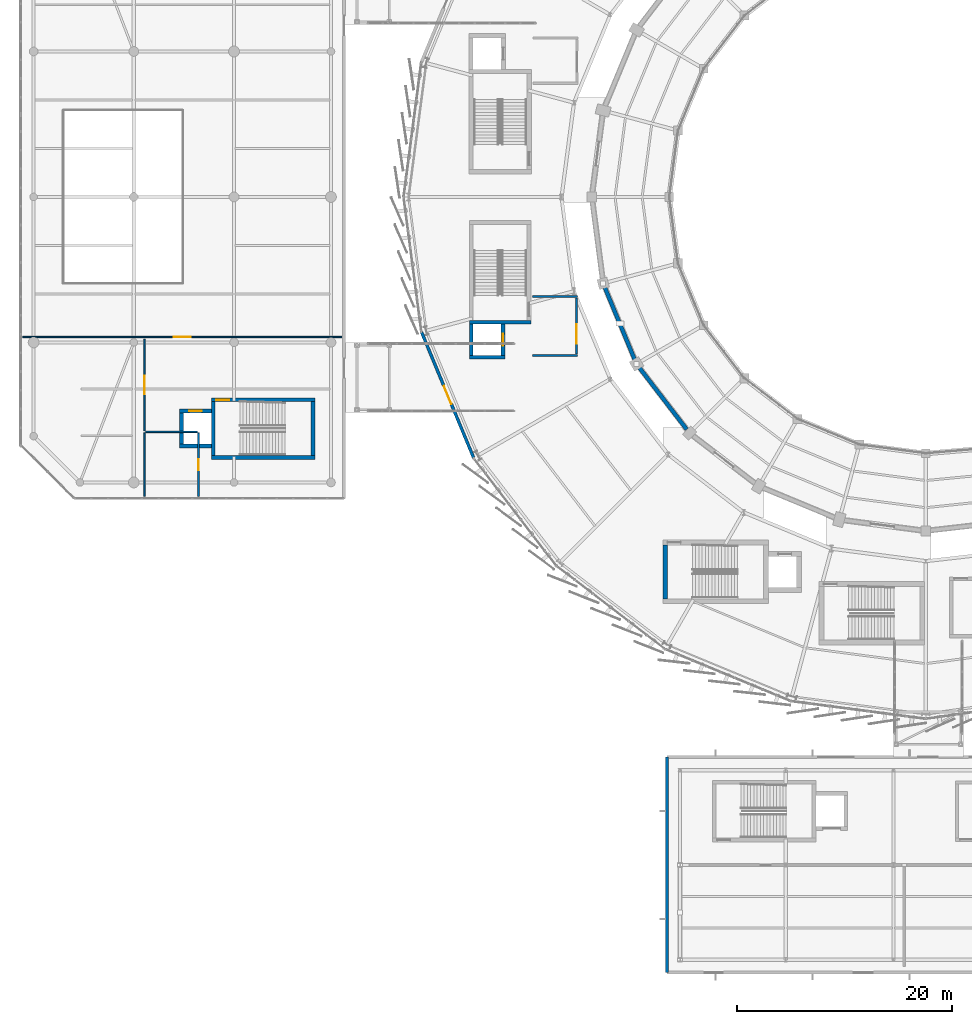
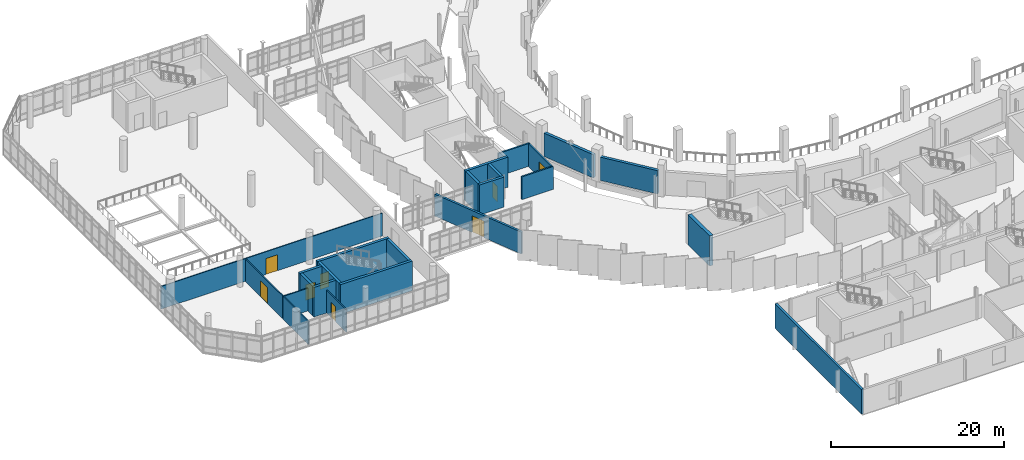
# One storey, part 101 of 125: 24 walls, 8 doors, 8 openings.
"""IFC4 building model written with IfcOpenShell, lengths in metres."""

from ifc_helpers import new_model, si_unit, direction, frame, frame_2d, origin, place, context, subcontext, project, spatial, rectangle, extrude, material, layer, layer_set, type_object, element, fill, save


model = new_model("IFC4")

# Units and contexts
model_context = context("Model", 3, precision=1e-05, world=origin(), true_north=direction((0.0, 1.0)))
body_context = subcontext(model_context, "Body", "Model", "MODEL_VIEW")
ifc_project = project(units=[si_unit("LENGTHUNIT", "METRE"), si_unit("AREAUNIT", "SQUARE_METRE"), si_unit("VOLUMEUNIT", "CUBIC_METRE"), si_unit("PLANEANGLEUNIT", "RADIAN"), si_unit("MASSUNIT", "GRAM", prefix="KILO")], contexts=[model_context])

# Site, building, storey
site_placement = place(None, origin())
site = spatial("IfcSite", under=ifc_project, at=site_placement, CompositionType="ELEMENT")
building_placement = place(site_placement, origin())
building = spatial("IfcBuilding", under=site, at=building_placement, Name="Sohan Crest Arena", CompositionType="ELEMENT")
storey_placement = place(building_placement, frame((0.0, 0.0, 9.0)))
storey = spatial("IfcBuildingStorey", under=building, at=storey_placement, Name="L02", CompositionType="ELEMENT", Elevation=9.0)

# Wall, opening, door
ifc_material_1 = material(Name="Clinker brick and ceramic mosaic envelope wall", Category="masonry")
ifc_layer_1 = layer(ifc_material_1, 0.280029296875, Name="Clinker brick and ceramic mosaic envelope wall")
ifc_layer_set_1 = layer_set([ifc_layer_1], Name="Clinker brick and ceramic mosaic envelope wall")
wall_type_1 = type_object("IfcWallType", Name="WAL-EW02", PredefinedType="SOLIDWALL", material=ifc_layer_set_1)
wall_1_placement = place(storey_placement, frame((51.200927734375, 65.4599609375, 0.0), z_axis=(0.0, 0.0, 1.0), x_axis=(0.382681957383, -0.923880143468, 0.0)))
wall_1 = element("IfcWall", 1, at=wall_1_placement, inside=storey, type_object=wall_type_1, Name="External wall EW-093", PredefinedType="SOLIDWALL", context=body_context, shape_type="SweptSolid", body=[
    extrude(rectangle(XDim=12.647705078125, YDim=0.280029296875, at=frame_2d((6.32373046875, 0.0))), origin(), (0.0, 0.0, 1.0), 3.10009765625),
])
opening_1_placement = place(wall_1_placement, frame((5.424072265625, 0.0, 0.0)))
opening_1 = element("IfcOpeningElement", 2, at=opening_1_placement, cuts=wall_1, Name="Opening BD-L02-08", PredefinedType="OPENING", context=body_context, shape_type="SweptSolid", body=[
    extrude(rectangle(XDim=1.800048828125, YDim=2.35009765625, at=frame_2d((0.89990234375, 1.175048828125))), frame((0.0, 0.14990234375, 0.0), z_axis=(0.0, -1.0, 0.0), x_axis=(1.0, 0.0, 0.0)), (0.0, 0.0, 1.0), 0.300048828125),
])
ifc_material_2 = material(Name="Glazed aluminium terrace access door", Category="aluminium")
door_type_1 = type_object("IfcDoorType", Name="DR-ED01", OperationType="DOUBLE_DOOR_SINGLE_SWING", PredefinedType="DOOR", material=ifc_material_2)
door_1_placement = place(opening_1_placement, frame((1.800048828125, 0.0, 0.0), z_axis=(0.0, 0.0, 1.0), x_axis=(-1.0, 0.0, 0.0)))
door_1 = element("IfcDoor", 3, at=door_1_placement, inside=storey, type_object=door_type_1, Name="Covered bridge passage door BD-L02-08", OperationType="DOUBLE_DOOR_SINGLE_SWING", OverallHeight=2.35009765625, OverallWidth=1.800048828125, PredefinedType="DOOR", context=body_context, shape_type="SweptSolid", body=[
    extrude(rectangle(XDim=1.800048828125, YDim=2.35009765625, at=frame_2d((0.89990234375, 1.175048828125))), frame((0.0, 0.02490234375, 0.0), z_axis=(0.0, -1.0, 0.0), x_axis=(1.0, 0.0, 0.0)), (0.0, 0.0, 1.0), 0.050048828125),
])
fill(opening_1, door_1)

# Walls
wall_2_placement = place(storey_placement, frame((74.0, 26.0, 0.0), z_axis=(0.0, 0.0, 1.0), x_axis=(0.0, -1.0, 0.0)))
element("IfcWall", 4, at=wall_2_placement, inside=storey, type_object=wall_type_1, Name="External wall EW-137", PredefinedType="SOLIDWALL", context=body_context, shape_type="SweptSolid", body=[
    extrude(rectangle(XDim=20.0, YDim=0.280029296875, at=frame_2d((10.0, 0.0))), origin(), (0.0, 0.0, 1.0), 3.5),
])
ifc_material_3 = material(Name="Acoustic insulated bowl drum enclosure wall", Category="masonry")
ifc_layer_2 = layer(ifc_material_3, 0.3701171875, Name="Acoustic insulated bowl drum enclosure wall")
ifc_layer_set_2 = layer_set([ifc_layer_2], Name="Acoustic insulated bowl drum enclosure wall")
wall_type_2 = type_object("IfcWallType", Name="WAL-EW05", PredefinedType="SOLIDWALL", material=ifc_layer_set_2)
wall_3_placement = place(storey_placement, frame((68.22412109375, 69.570068359375, 0.0), z_axis=(0.0, 0.0, 1.0), x_axis=(0.382807189089, -0.923828261086, 0.0)))
element("IfcWall", 5, at=wall_3_placement, inside=storey, type_object=wall_type_2, Name="Acoustic bowl drum wall BW-L02-08", PredefinedType="SOLIDWALL", context=body_context, shape_type="SweptSolid", body=[
    extrude(rectangle(XDim=7.21240234375, YDim=0.3701171875, at=frame_2d((3.606201171875, 0.0))), origin(), (0.0, 0.0, 1.0), 3.300048828125),
])
wall_4_placement = place(storey_placement, frame((71.4208984375, 62.15087890625, 0.0), z_axis=(0.0, 0.0, 1.0), x_axis=(0.608807390719, -0.793318070515, 0.0)))
element("IfcWall", 6, at=wall_4_placement, inside=storey, type_object=wall_type_2, Name="Acoustic bowl drum wall BW-L02-09", PredefinedType="SOLIDWALL", context=body_context, shape_type="SweptSolid", body=[
    extrude(rectangle(XDim=7.212646484375, YDim=0.3701171875, at=frame_2d((3.6064453125, 0.0))), origin(), (0.0, 0.0, 1.0), 3.300048828125),
])
ifc_material_4 = material(Name="Fire-rated masonry blockwork compartment wall", Category="masonry")
ifc_layer_3 = layer(ifc_material_4, 0.199951171875, Name="Fire-rated masonry blockwork compartment wall")
ifc_layer_set_3 = layer_set([ifc_layer_3], Name="Fire-rated masonry blockwork compartment wall")
wall_type_3 = type_object("IfcWallType", Name="WAL-FW01", PredefinedType="PARTITIONING", material=ifc_layer_set_3)
for number, where, z_axis, x_axis, name in (
    (7, (61.489990234375, 63.300048828125, 0.0), (0.0, 0.0, 1.0), (1.0, 0.0, 0.0), "Interior partition wall PW-0038"),
    (8, (61.489990234375, 68.75, 0.0), (0.0, 0.0, 1.0), (1.0, 0.0, 0.0), "Interior partition wall PW-0039"),
):
    element("IfcWall", number, at=place(storey_placement, frame(where, z_axis=z_axis, x_axis=x_axis)), inside=storey, type_object=wall_type_3, Name=name, PredefinedType="PARTITIONING", context=body_context, shape_type="SweptSolid", body=[
        extrude(rectangle(XDim=4.179931640625, YDim=0.199951171875, at=frame_2d((2.08984375, 0.0))), origin(), (0.0, 0.0, 1.0), 3.219970703125),
    ])

# Wall, opening, door
wall_5_placement = place(storey_placement, frame((65.570068359375, 63.419921875, 0.0), z_axis=(0.0, 0.0, 1.0), x_axis=(0.0, 1.0, 0.0)))
wall_5 = element("IfcWall", 9, at=wall_5_placement, inside=storey, type_object=wall_type_3, Name="Interior partition wall PW-0040", PredefinedType="PARTITIONING", context=body_context, shape_type="SweptSolid", body=[
    extrude(rectangle(XDim=5.2099609375, YDim=0.199951171875, at=frame_2d((2.60498046875, 0.0))), origin(), (0.0, 0.0, 1.0), 3.219970703125),
])
opening_2_placement = place(wall_5_placement, frame((0.949951171875, 0.0, 0.0)))
opening_2 = element("IfcOpeningElement", 10, at=opening_2_placement, cuts=wall_5, Name="Opening FFL-0012", PredefinedType="OPENING", context=body_context, shape_type="SweptSolid", body=[
    extrude(rectangle(XDim=1.800048828125, YDim=2.199951171875, at=frame_2d((0.89990234375, 1.10009765625))), frame((0.0, 0.10986328125, 0.0), z_axis=(0.0, -1.0, 0.0), x_axis=(1.0, 0.0, 0.0)), (0.0, 0.0, 1.0), 0.219970703125),
])
ifc_material_5 = material(Name="Fire-rated timber-faced lobby double door", Category="wood")
door_type_2 = type_object("IfcDoorType", Name="DR-FD03", OperationType="DOUBLE_DOOR_SINGLE_SWING", PredefinedType="DOOR", material=ifc_material_5)
door_2_placement = place(opening_2_placement, origin())
door_2 = element("IfcDoor", 11, at=door_2_placement, inside=storey, type_object=door_type_2, Name="Firefighting lift lobby door FL01 FFL-0012", OperationType="DOUBLE_DOOR_SINGLE_SWING", OverallHeight=2.199951171875, OverallWidth=1.800048828125, PredefinedType="DOOR", context=body_context, shape_type="SweptSolid", body=[
    extrude(rectangle(XDim=1.800048828125, YDim=2.199951171875, at=frame_2d((0.89990234375, 1.10009765625))), frame((0.0, 0.02490234375, 0.0), z_axis=(0.0, -1.0, 0.0), x_axis=(1.0, 0.0, 0.0)), (0.0, 0.0, 1.0), 0.050048828125),
])
fill(opening_2, door_2)

ifc_material_6 = material(Name="Acoustic gypsum stud room partition", Category="masonry")
ifc_layer_4 = layer(ifc_material_6, 0.1201171875, Name="Acoustic gypsum stud room partition")
ifc_layer_set_4 = layer_set([ifc_layer_4], Name="Acoustic gypsum stud room partition")
wall_type_4 = type_object("IfcWallType", Name="WAL-PW01", PredefinedType="PARTITIONING", material=ifc_layer_set_4)
wall_6_placement = place(storey_placement, frame((14.199951171875, 65.0, 0.0), z_axis=(0.0, 0.0, 1.0), x_axis=(1.0, 0.0, 0.0)))
wall_6 = element("IfcWall", 12, at=wall_6_placement, inside=storey, type_object=wall_type_4, Name="Interior partition wall PW-0890", PredefinedType="PARTITIONING", context=body_context, shape_type="SweptSolid", body=[
    extrude(rectangle(XDim=29.60009765625, YDim=0.1201171875, at=frame_2d((14.800048828125, 0.0))), origin(), (0.0, 0.0, 1.0), 3.219970703125),
])
opening_3_placement = place(wall_6_placement, frame((14.02001953125, 0.0, 0.0)))
opening_3 = element("IfcOpeningElement", 13, at=opening_3_placement, cuts=wall_6, Name="Opening FY-0262", PredefinedType="OPENING", context=body_context, shape_type="SweptSolid", body=[
    extrude(rectangle(XDim=1.56005859375, YDim=2.260009765625, at=frame_2d((0.780029296875, 1.1298828125))), frame((0.0, 0.070068359375, 0.0), z_axis=(0.0, -1.0, 0.0), x_axis=(1.0, 0.0, 0.0)), (0.0, 0.0, 1.0), 0.14013671875),
])
ifc_material_7 = material(Name="Solid oak acoustic room door", Category="wood")
door_type_3 = type_object("IfcDoorType", Name="DR-ID15", OperationType="DOUBLE_DOOR_SINGLE_SWING", PredefinedType="DOOR", material=ifc_material_7)
door_3_placement = place(opening_3_placement, origin())
door_3 = element("IfcDoor", 14, at=door_3_placement, inside=storey, type_object=door_type_3, Name="Cultural Exhibition Room lobby door FY-0262", OperationType="DOUBLE_DOOR_SINGLE_SWING", OverallHeight=2.260009765625, OverallWidth=1.56005859375, PredefinedType="DOOR", context=body_context, shape_type="SweptSolid", body=[
    extrude(rectangle(XDim=1.56005859375, YDim=2.260009765625, at=frame_2d((0.780029296875, 1.1298828125))), frame((0.0, 0.02490234375, 0.0), z_axis=(0.0, -1.0, 0.0), x_axis=(1.0, 0.0, 0.0)), (0.0, 0.0, 1.0), 0.050048828125),
])
fill(opening_3, door_3)

ifc_material_8 = material(Name="Wet-area moisture-resistant masonry partition", Category="masonry")
ifc_layer_5 = layer(ifc_material_8, 0.14990234375, Name="Wet-area moisture-resistant masonry partition")
ifc_layer_set_5 = layer_set([ifc_layer_5], Name="Wet-area moisture-resistant masonry partition")
wall_type_5 = type_object("IfcWallType", Name="WAL-PW03", PredefinedType="PARTITIONING", material=ifc_layer_set_5)
wall_7_placement = place(storey_placement, frame((25.5, 56.300048828125, 0.0), z_axis=(0.0, 0.0, 1.0), x_axis=(0.0, 1.0, 0.0)))
wall_7 = element("IfcWall", 15, at=wall_7_placement, inside=storey, type_object=wall_type_5, Name="Interior partition wall PW-0891", PredefinedType="PARTITIONING", context=body_context, shape_type="SweptSolid", body=[
    extrude(rectangle(XDim=8.5, YDim=0.14990234375, at=frame_2d((4.25, 0.0))), origin(), (0.0, 0.0, 1.0), 3.219970703125),
])
opening_4_placement = place(wall_7_placement, frame((3.409912109375, 0.0, 0.0)))
opening_4 = element("IfcOpeningElement", 16, at=opening_4_placement, cuts=wall_7, Name="Opening FY-0263", PredefinedType="OPENING", context=body_context, shape_type="SweptSolid", body=[
    extrude(rectangle(XDim=1.679931640625, YDim=2.280029296875, at=frame_2d((0.83984375, 1.14013671875))), frame((0.0, 0.0849609375, 0.0), z_axis=(0.0, -1.0, 0.0), x_axis=(1.0, 0.0, 0.0)), (0.0, 0.0, 1.0), 0.169921875),
])
door_type_4 = type_object("IfcDoorType", Name="DR-ID16", OperationType="DOUBLE_DOOR_SINGLE_SWING", PredefinedType="DOOR", material=ifc_material_7)
door_4_placement = place(opening_4_placement, origin())
door_4 = element("IfcDoor", 17, at=door_4_placement, inside=storey, type_object=door_type_4, Name="Cultural Exhibition Room door FY-0263", OperationType="DOUBLE_DOOR_SINGLE_SWING", OverallHeight=2.280029296875, OverallWidth=1.679931640625, PredefinedType="DOOR", context=body_context, shape_type="SweptSolid", body=[
    extrude(rectangle(XDim=1.679931640625, YDim=2.280029296875, at=frame_2d((0.83984375, 1.14013671875))), frame((0.0, 0.02490234375, 0.0), z_axis=(0.0, -1.0, 0.0), x_axis=(1.0, 0.0, 0.0)), (0.0, 0.0, 1.0), 0.050048828125),
])
fill(opening_4, door_4)

# Wall
wall_8_placement = place(storey_placement, frame((25.5, 50.199951171875, 0.0), z_axis=(0.0, 0.0, 1.0), x_axis=(0.0, 1.0, 0.0)))
element("IfcWall", 18, at=wall_8_placement, inside=storey, type_object=wall_type_5, Name="Interior partition wall PW-0892", PredefinedType="PARTITIONING", context=body_context, shape_type="SweptSolid", body=[
    extrude(rectangle(XDim=5.900146484375, YDim=0.14990234375, at=frame_2d((2.9501953125, 0.0))), origin(), (0.0, 0.0, 1.0), 3.219970703125),
])

# Wall, opening, door
wall_9_placement = place(storey_placement, frame((30.5, 50.199951171875, 0.0), z_axis=(0.0, 0.0, 1.0), x_axis=(0.0, 1.0, 0.0)))
wall_9 = element("IfcWall", 19, at=wall_9_placement, inside=storey, type_object=wall_type_5, Name="Interior partition wall PW-0893", PredefinedType="PARTITIONING", context=body_context, shape_type="SweptSolid", body=[
    extrude(rectangle(XDim=5.900146484375, YDim=0.14990234375, at=frame_2d((2.9501953125, 0.0))), origin(), (0.0, 0.0, 1.0), 3.219970703125),
])
opening_5_placement = place(wall_9_placement, frame((2.43994140625, 0.0, 0.0)))
opening_5 = element("IfcOpeningElement", 20, at=opening_5_placement, cuts=wall_9, Name="Opening WC-0264", PredefinedType="OPENING", context=body_context, shape_type="SweptSolid", body=[
    extrude(rectangle(XDim=1.02001953125, YDim=2.14990234375, at=frame_2d((0.510009765625, 1.074951171875))), frame((0.0, 0.0849609375, 0.0), z_axis=(0.0, -1.0, 0.0), x_axis=(1.0, 0.0, 0.0)), (0.0, 0.0, 1.0), 0.169921875),
])
ifc_material_9 = material(Name="Accessible toilet and dressing room door", Category="wood")
door_type_5 = type_object("IfcDoorType", Name="DR-ID03", OperationType="NOTDEFINED", PredefinedType="DOOR", material=ifc_material_9)
door_5_placement = place(opening_5_placement, origin())
door_5 = element("IfcDoor", 21, at=door_5_placement, inside=storey, type_object=door_type_5, Name="Foyer Accessible WC L02 door WC-0264", OperationType="SINGLE_SWING_LEFT", OverallHeight=2.14990234375, OverallWidth=1.02001953125, PredefinedType="DOOR", context=body_context, shape_type="SweptSolid", body=[
    extrude(rectangle(XDim=1.02001953125, YDim=2.14990234375, at=frame_2d((0.510009765625, 1.074951171875))), frame((0.0, 0.02490234375, 0.0), z_axis=(0.0, -1.0, 0.0), x_axis=(1.0, 0.0, 0.0)), (0.0, 0.0, 1.0), 0.050048828125),
])
fill(opening_5, door_5)

# Walls
wall_10_placement = place(storey_placement, frame((25.60009765625, 56.199951171875, 0.0), z_axis=(0.0, 0.0, 1.0), x_axis=(1.0, 0.0, 0.0)))
element("IfcWall", 22, at=wall_10_placement, inside=storey, type_object=wall_type_5, Name="Interior partition wall PW-0894", PredefinedType="PARTITIONING", context=body_context, shape_type="SweptSolid", body=[
    extrude(rectangle(XDim=4.7998046875, YDim=0.14990234375, at=frame_2d((2.39990234375, 0.0))), origin(), (0.0, 0.0, 1.0), 3.219970703125),
])
ifc_material_10 = material(Name="Concrete C40/50", Category="concrete")
ifc_layer_6 = layer(ifc_material_10, 0.35009765625, Name="Concrete C40/50")
ifc_layer_set_6 = layer_set([ifc_layer_6], Name="Concrete C40/50")
wall_type_6 = type_object("IfcWallType", Name="WAL-SW02", PredefinedType="SHEAR", material=ifc_layer_set_6)
wall_11_placement = place(storey_placement, frame((55.64990234375, 66.375, 0.0), z_axis=(0.0, 0.0, 1.0), x_axis=(1.0, 0.0, 0.0)))
element("IfcWall", 23, at=wall_11_placement, inside=storey, type_object=wall_type_6, Name="Core shear wall SW-0031", PredefinedType="SHEAR", context=body_context, shape_type="SweptSolid", body=[
    extrude(rectangle(XDim=5.7001953125, YDim=0.35009765625, at=frame_2d((2.85009765625, 0.0))), origin(), (0.0, 0.0, 1.0), 4.25),
])
wall_12_placement = place(storey_placement, frame((55.824951171875, 63.300048828125, 0.0), z_axis=(0.0, 0.0, 1.0), x_axis=(0.0, 1.0, 0.0)))
element("IfcWall", 24, at=wall_12_placement, inside=storey, type_object=wall_type_6, Name="Core shear wall SW-0035", PredefinedType="SHEAR", context=body_context, shape_type="SweptSolid", body=[
    extrude(rectangle(XDim=2.89990234375, YDim=0.35009765625, at=frame_2d((1.449951171875, 0.0))), origin(), (0.0, 0.0, 1.0), 4.25),
])

# Wall, opening, door
wall_13_placement = place(storey_placement, frame((58.77490234375, 63.300048828125, 0.0), z_axis=(0.0, 0.0, 1.0), x_axis=(0.0, 1.0, 0.0)))
wall_13 = element("IfcWall", 25, at=wall_13_placement, inside=storey, type_object=wall_type_6, Name="Core shear wall SW-0036", PredefinedType="SHEAR", context=body_context, shape_type="SweptSolid", body=[
    extrude(rectangle(XDim=2.89990234375, YDim=0.35009765625, at=frame_2d((1.449951171875, 0.0))), origin(), (0.0, 0.0, 1.0), 4.25),
])
opening_6_placement = place(wall_13_placement, frame((0.89990234375, 0.0, 0.0)))
opening_6 = element("IfcOpeningElement", 26, at=opening_6_placement, cuts=wall_13, Name="Opening LD-FL01-L02", PredefinedType="OPENING", context=body_context, shape_type="SweptSolid", body=[
    extrude(rectangle(XDim=1.10009765625, YDim=2.199951171875, at=frame_2d((0.550048828125, 1.10009765625))), frame((0.0, 0.18505859375, 0.0), z_axis=(0.0, -1.0, 0.0), x_axis=(1.0, 0.0, 0.0)), (0.0, 0.0, 1.0), 0.3701171875),
])
ifc_material_11 = material(Name="Stainless steel firefighting lift landing door", Category="steel")
door_type_6 = type_object("IfcDoorType", Name="DR-LD01", OperationType="SLIDING_TO_LEFT", PredefinedType="DOOR", material=ifc_material_11)
door_6_placement = place(opening_6_placement, origin())
door_6 = element("IfcDoor", 27, at=door_6_placement, inside=storey, type_object=door_type_6, Name="Sliding lift landing door LD-FL01-L02", OperationType="SLIDING_TO_LEFT", OverallHeight=2.199951171875, OverallWidth=1.10009765625, PredefinedType="DOOR", context=body_context, shape_type="SweptSolid", body=[
    extrude(rectangle(XDim=1.10009765625, YDim=2.199951171875, at=frame_2d((0.550048828125, 1.10009765625))), frame((0.0, 0.02490234375, 0.0), z_axis=(0.0, -1.0, 0.0), x_axis=(1.0, 0.0, 0.0)), (0.0, 0.0, 1.0), 0.050048828125),
])
fill(opening_6, door_6)

# Walls
wall_14_placement = place(storey_placement, frame((55.64990234375, 63.125, 0.0), z_axis=(0.0, 0.0, 1.0), x_axis=(1.0, 0.0, 0.0)))
element("IfcWall", 28, at=wall_14_placement, inside=storey, type_object=wall_type_6, Name="Core shear wall SW-0037", PredefinedType="SHEAR", context=body_context, shape_type="SweptSolid", body=[
    extrude(rectangle(XDim=3.300048828125, YDim=0.35009765625, at=frame_2d((1.64990234375, 0.0))), origin(), (0.0, 0.0, 1.0), 4.25),
])
for number, where, z_axis, x_axis, name in (
    (29, (31.875, 54.0, 0.0), (0.0, 0.0, 1.0), (0.0, 1.0, 0.0), "Core shear wall SW-0545"),
    (30, (41.125, 54.0, 0.0), (0.0, 0.0, 1.0), (0.0, 1.0, 0.0), "Core shear wall SW-0546"),
):
    element("IfcWall", number, at=place(storey_placement, frame(where, z_axis=z_axis, x_axis=x_axis)), inside=storey, type_object=wall_type_6, Name=name, PredefinedType="SHEAR", context=body_context, shape_type="SweptSolid", body=[
        extrude(rectangle(XDim=5.0, YDim=0.35009765625, at=frame_2d((2.5, 0.0))), origin(), (0.0, 0.0, 1.0), 4.18505859375),
    ])
wall_15_placement = place(storey_placement, frame((31.699951171875, 53.824951171875, 0.0), z_axis=(0.0, 0.0, 1.0), x_axis=(1.0, 0.0, 0.0)))
element("IfcWall", 31, at=wall_15_placement, inside=storey, type_object=wall_type_6, Name="Core shear wall SW-0547", PredefinedType="SHEAR", context=body_context, shape_type="SweptSolid", body=[
    extrude(rectangle(XDim=9.60009765625, YDim=0.35009765625, at=frame_2d((4.800048828125, 0.0))), origin(), (0.0, 0.0, 1.0), 4.18505859375),
])

# Wall, opening, door
wall_16_placement = place(storey_placement, frame((31.699951171875, 59.175048828125, 0.0), z_axis=(0.0, 0.0, 1.0), x_axis=(1.0, 0.0, 0.0)))
wall_16 = element("IfcWall", 32, at=wall_16_placement, inside=storey, type_object=wall_type_6, Name="Core shear wall SW-0548", PredefinedType="SHEAR", context=body_context, shape_type="SweptSolid", body=[
    extrude(rectangle(XDim=9.60009765625, YDim=0.35009765625, at=frame_2d((4.800048828125, 0.0))), origin(), (0.0, 0.0, 1.0), 4.18505859375),
])
opening_7_placement = place(wall_16_placement, frame((0.449951171875, 0.0, 0.0)))
opening_7 = element("IfcOpeningElement", 33, at=opening_7_placement, cuts=wall_16, Name="Opening SD-0149", PredefinedType="OPENING", context=body_context, shape_type="SweptSolid", body=[
    extrude(rectangle(XDim=1.199951171875, YDim=2.199951171875, at=frame_2d((0.60009765625, 1.10009765625))), frame((0.0, 0.18505859375, 0.0), z_axis=(0.0, -1.0, 0.0), x_axis=(1.0, 0.0, 0.0)), (0.0, 0.0, 1.0), 0.3701171875),
])
ifc_material_12 = material(Name="Fire-rated steel stair and lobby door", Category="steel")
door_type_7 = type_object("IfcDoorType", Name="DR-FD04", OperationType="NOTDEFINED", PredefinedType="DOOR", material=ifc_material_12)
door_7_placement = place(opening_7_placement, origin())
door_7 = element("IfcDoor", 34, at=door_7_placement, inside=storey, type_object=door_type_7, Name="Protected stair door SD-0149", OperationType="SINGLE_SWING_LEFT", OverallHeight=2.199951171875, OverallWidth=1.199951171875, PredefinedType="DOOR", context=body_context, shape_type="SweptSolid", body=[
    extrude(rectangle(XDim=1.199951171875, YDim=2.199951171875, at=frame_2d((0.60009765625, 1.10009765625))), frame((0.0, 0.02490234375, 0.0), z_axis=(0.0, -1.0, 0.0), x_axis=(1.0, 0.0, 0.0)), (0.0, 0.0, 1.0), 0.050048828125),
])
fill(opening_7, door_7)

# Walls
wall_17_placement = place(storey_placement, frame((28.925048828125, 55.050048828125, 0.0), z_axis=(0.0, 0.0, 1.0), x_axis=(0.0, 1.0, 0.0)))
element("IfcWall", 35, at=wall_17_placement, inside=storey, type_object=wall_type_6, Name="Core shear wall SW-0549", PredefinedType="SHEAR", context=body_context, shape_type="SweptSolid", body=[
    extrude(rectangle(XDim=2.89990234375, YDim=0.35009765625, at=frame_2d((1.449951171875, 0.0))), origin(), (0.0, 0.0, 1.0), 4.18505859375),
])
wall_18_placement = place(storey_placement, frame((28.75, 54.875, 0.0), z_axis=(0.0, 0.0, 1.0), x_axis=(1.0, 0.0, 0.0)))
element("IfcWall", 36, at=wall_18_placement, inside=storey, type_object=wall_type_6, Name="Core shear wall SW-0550", PredefinedType="SHEAR", context=body_context, shape_type="SweptSolid", body=[
    extrude(rectangle(XDim=2.949951171875, YDim=0.35009765625, at=frame_2d((1.47509765625, 0.0))), origin(), (0.0, 0.0, 1.0), 4.18505859375),
])

# Wall, opening, door
wall_19_placement = place(storey_placement, frame((28.75, 58.125, 0.0), z_axis=(0.0, 0.0, 1.0), x_axis=(1.0, 0.0, 0.0)))
wall_19 = element("IfcWall", 37, at=wall_19_placement, inside=storey, type_object=wall_type_6, Name="Core shear wall SW-0551", PredefinedType="SHEAR", context=body_context, shape_type="SweptSolid", body=[
    extrude(rectangle(XDim=2.949951171875, YDim=0.35009765625, at=frame_2d((1.47509765625, 0.0))), origin(), (0.0, 0.0, 1.0), 4.18505859375),
])
opening_8_placement = place(wall_19_placement, frame((0.875, 0.0, 0.0)))
opening_8 = element("IfcOpeningElement", 38, at=opening_8_placement, cuts=wall_19, Name="Opening LD-LP09-L02", PredefinedType="OPENING", context=body_context, shape_type="SweptSolid", body=[
    extrude(rectangle(XDim=1.199951171875, YDim=2.199951171875, at=frame_2d((0.60009765625, 1.10009765625))), frame((0.0, 0.18505859375, 0.0), z_axis=(0.0, -1.0, 0.0), x_axis=(1.0, 0.0, 0.0)), (0.0, 0.0, 1.0), 0.3701171875),
])
ifc_material_13 = material(Name="Stainless steel passenger lift landing door", Category="steel")
door_type_8 = type_object("IfcDoorType", Name="DR-LD02", OperationType="SLIDING_TO_LEFT", PredefinedType="DOOR", material=ifc_material_13)
door_8_placement = place(opening_8_placement, origin())
door_8 = element("IfcDoor", 39, at=door_8_placement, inside=storey, type_object=door_type_8, Name="Sliding lift landing door LD-LP09-L02", OperationType="SLIDING_TO_LEFT", OverallHeight=2.199951171875, OverallWidth=1.199951171875, PredefinedType="DOOR", context=body_context, shape_type="SweptSolid", body=[
    extrude(rectangle(XDim=1.199951171875, YDim=2.199951171875, at=frame_2d((0.60009765625, 1.10009765625))), frame((0.0, 0.02490234375, 0.0), z_axis=(0.0, -1.0, 0.0), x_axis=(1.0, 0.0, 0.0)), (0.0, 0.0, 1.0), 0.050048828125),
])
fill(opening_8, door_8)

# Wall
ifc_layer_7 = layer(ifc_material_10, 0.449951171875, Name="Concrete C40/50")
ifc_layer_set_7 = layer_set([ifc_layer_7], Name="Concrete C40/50")
wall_type_7 = type_object("IfcWallType", Name="WAL-SW04", PredefinedType="SHEAR", material=ifc_layer_set_7)
wall_20_placement = place(storey_placement, frame((73.824951171875, 40.699951171875, 0.0), z_axis=(0.0, 0.0, 1.0), x_axis=(0.0, 1.0, 0.0)))
element("IfcWall", 40, at=wall_20_placement, inside=storey, type_object=wall_type_7, Name="Core shear wall SW-0162", PredefinedType="SHEAR", context=body_context, shape_type="SweptSolid", body=[
    extrude(rectangle(XDim=5.0, YDim=0.449951171875, at=frame_2d((2.5, 0.0))), origin(), (0.0, 0.0, 1.0), 4.25),
])

save(model, "model.ifc")
